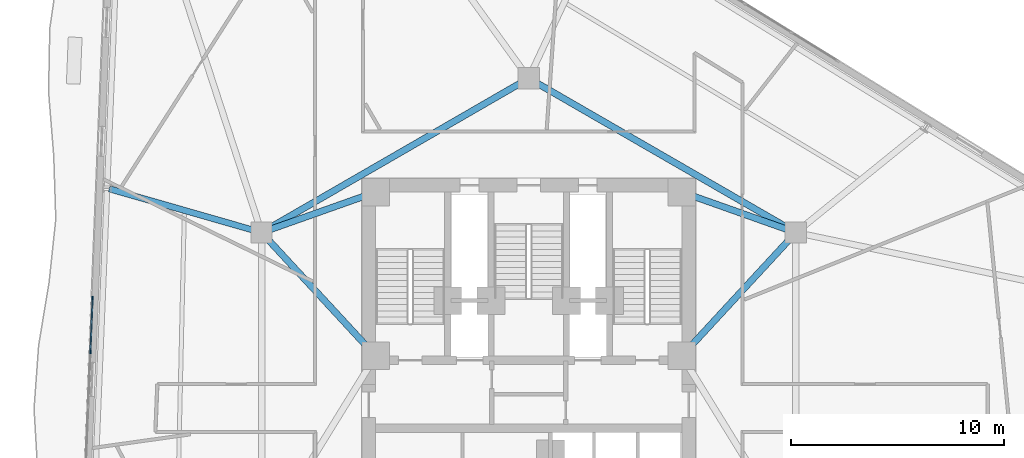
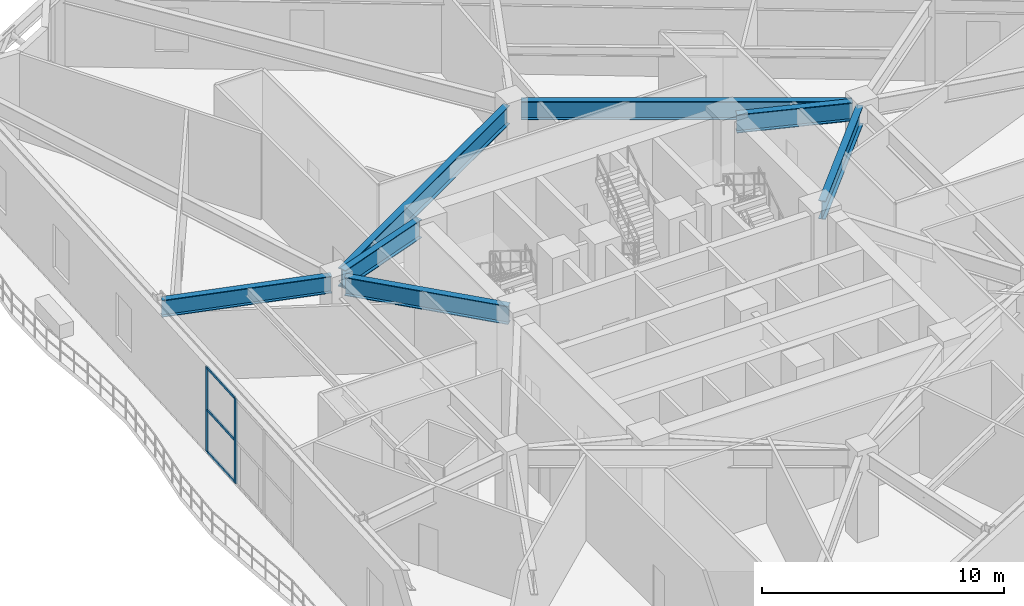
# One storey, part 8 of 22: 7 beams, 5 members, 1 element without a shape of its own.
"""IFC4 building model written with IfcOpenShell, lengths in metres."""

from ifc_helpers import new_model, si_unit, direction, frame, origin, origin_2d, place, context, subcontext, project, spatial, rectangle, i_section, extrude, material, layer, layer_set, material_profile, profile_set, type_object, element, aggregate, save


model = new_model("IFC4")

# Units and contexts
model_context = context("Model", 3, precision=1e-05, world=origin(), true_north=direction((0.0, 1.0)))
body_context = subcontext(model_context, "Body", "Model", "MODEL_VIEW")
ifc_project = project(units=[si_unit("LENGTHUNIT", "METRE"), si_unit("AREAUNIT", "SQUARE_METRE"), si_unit("VOLUMEUNIT", "CUBIC_METRE"), si_unit("PLANEANGLEUNIT", "RADIAN"), si_unit("MASSUNIT", "GRAM", prefix="KILO")], contexts=[model_context])

# Site, building, storey
site_placement = place(None, origin())
site = spatial("IfcSite", under=ifc_project, at=site_placement, CompositionType="ELEMENT")
building_placement = place(site_placement, origin())
building = spatial("IfcBuilding", under=site, at=building_placement, Name="Apsidion Concourse Tower", CompositionType="ELEMENT")
storey_placement = place(building_placement, frame((0.0, 0.0, 160.89990234375)))
storey = spatial("IfcBuildingStorey", under=building, at=storey_placement, Name="L37", CompositionType="ELEMENT", Elevation=160.89990234375)

# Beams
ifc_material_1 = material(Name="Structural steel ASTM A992 Grade 50", Category="steel")
ifc_material_profile_1 = material_profile(ifc_material_1, i_section(OverallWidth=0.2919921875, OverallDepth=0.85888671875, WebThickness=0.01708984375, FlangeThickness=0.031005859375, at=origin_2d()), Name="W33X169")
ifc_profile_set_1 = profile_set([ifc_material_profile_1], Name="Structural steel ASTM A992 Grade 50")
beam_type_1 = type_object("IfcBeamType", Name="BM-G-W33", PredefinedType="USERDEFINED", material=ifc_profile_set_1)
beam_1_placement = place(storey_placement, frame((-12.771484375, 7.310791015625, 3.920654296875), z_axis=(-0.961194838859, 0.275870407531, 0.0), x_axis=(-0.275870407531, -0.961194838859, 0.0)))
element("IfcBeam", 1, at=beam_1_placement, inside=storey, type_object=beam_type_1, Name="L37 Radial Floor Girder RAD-02", ObjectType="GIRDER", PredefinedType="USERDEFINED", context=body_context, shape_type="SweptSolid", body=[
    extrude(i_section(OverallWidth=0.2919921875, OverallDepth=0.85888671875, WebThickness=0.01708984375, FlangeThickness=0.031005859375, at=origin_2d()), origin(), (0.0, 0.0, 1.0), 7.2373046875),
])
ifc_material_profile_2 = material_profile(ifc_material_1, i_section(OverallWidth=0.31005859375, OverallDepth=0.931884765625, WebThickness=0.02099609375, FlangeThickness=0.034423828125, at=origin_2d()), Name="W36X210")
ifc_profile_set_2 = profile_set([ifc_material_profile_2], Name="Structural steel ASTM A992 Grade 50")
beam_type_2 = type_object("IfcBeamType", Name="BM-G-W36", PredefinedType="USERDEFINED", material=ifc_profile_set_2)
beam_2_placement = place(storey_placement, frame((12.28857421875, 6.956298828125, 3.884033203125), z_axis=(-0.678712876106, -0.73440372535, 0.0), x_axis=(0.73440372535, -0.678712876106, 0.0)))
element("IfcBeam", 2, at=beam_2_placement, inside=storey, type_object=beam_type_2, Name="L37 Core Coupling Girder IC3-SC3", ObjectType="GIRDER", PredefinedType="USERDEFINED", context=body_context, shape_type="SweptSolid", body=[
    extrude(i_section(OverallWidth=0.31005859375, OverallDepth=0.931884765625, WebThickness=0.02099609375, FlangeThickness=0.034423828125, at=origin_2d()), origin(), (0.0, 0.0, 1.0), 7.097412109375),
])
beam_3_placement = place(storey_placement, frame((12.18310546875, 7.383544921875, 3.884033203125), z_axis=(-0.942533844539, 0.334110688094, 0.0), x_axis=(-0.334110688094, -0.942533844539, 0.0)))
element("IfcBeam", 3, at=beam_3_placement, inside=storey, type_object=beam_type_2, Name="L37 Core Coupling Girder IC3-SC4", ObjectType="GIRDER", PredefinedType="USERDEFINED", context=body_context, shape_type="SweptSolid", body=[
    extrude(i_section(OverallWidth=0.31005859375, OverallDepth=0.931884765625, WebThickness=0.02099609375, FlangeThickness=0.034423828125, at=origin_2d()), origin(), (0.0, 0.0, 1.0), 4.886962890625),
])
beam_4_placement = place(storey_placement, frame((-12.28857421875, 6.956298828125, 3.884033203125), z_axis=(0.678712876106, -0.73440372535, 0.0), x_axis=(0.73440372535, 0.678712876106, 0.0)))
element("IfcBeam", 4, at=beam_4_placement, inside=storey, type_object=beam_type_2, Name="L37 Core Coupling Girder IC5-SC6", ObjectType="GIRDER", PredefinedType="USERDEFINED", context=body_context, shape_type="SweptSolid", body=[
    extrude(i_section(OverallWidth=0.31005859375, OverallDepth=0.931884765625, WebThickness=0.02099609375, FlangeThickness=0.034423828125, at=origin_2d()), origin(), (0.0, 0.0, 1.0), 7.097412109375),
])
beam_5_placement = place(storey_placement, frame((-12.18310546875, 7.383544921875, 3.884033203125), z_axis=(0.942533844539, 0.334110688094, 0.0), x_axis=(-0.334110688094, 0.942533844539, 0.0)))
element("IfcBeam", 5, at=beam_5_placement, inside=storey, type_object=beam_type_2, Name="L37 Core Coupling Girder IC5-SC5", ObjectType="GIRDER", PredefinedType="USERDEFINED", context=body_context, shape_type="SweptSolid", body=[
    extrude(i_section(OverallWidth=0.31005859375, OverallDepth=0.931884765625, WebThickness=0.02099609375, FlangeThickness=0.034423828125, at=origin_2d()), origin(), (0.0, 0.0, 1.0), 4.886962890625),
])
for number, where, z_axis, x_axis, name in (
    (6, (-12.213623046875, 7.449951171875, 3.884033203125), (0.866070471464, 0.499921932364, 0.0), (-0.499921932364, 0.866070471464, 0.0), "L37 Core Coupling Girder IC5-IC4"),
    (7, (0.346435546875, 14.300048828125, 3.884033203125), (0.866070471464, -0.499921932364, 0.0), (0.499921932364, 0.866070471464, 0.0), "L37 Core Coupling Girder IC4-IC3"),
):
    element("IfcBeam", number, at=place(storey_placement, frame(where, z_axis=z_axis, x_axis=x_axis)), inside=storey, type_object=beam_type_2, Name=name, ObjectType="GIRDER", PredefinedType="USERDEFINED", context=body_context, shape_type="SweptSolid", body=[
        extrude(i_section(OverallWidth=0.31005859375, OverallDepth=0.931884765625, WebThickness=0.02099609375, FlangeThickness=0.034423828125, at=origin_2d()), origin(), (0.0, 0.0, 1.0), 13.702392578125),
    ])

# Curtain wall, members
ifc_material_2 = material(Name="Insulated laminated low-E glass", Category="glass")
ifc_layer = layer(ifc_material_2, 0.2099609375)
ifc_layer_set = layer_set([ifc_layer], Name="Insulated laminated low-E glass")
curtain_wall_type = type_object("IfcCurtainWallType", Name="CW-SYS-03", PredefinedType="NOTDEFINED", material=ifc_layer_set)
curtain_wall_placement = place(storey_placement, origin())
curtain_wall = element("IfcCurtainWall", 8, at=curtain_wall_placement, inside=storey, type_object=curtain_wall_type, Name="L37 Sky Lobby Curtain Wall 9", PredefinedType="NOTDEFINED")
ifc_material_3 = material(Name="Anodised aluminium EN AW-6063 T6", Category="aluminium")
ifc_material_profile_3 = material_profile(ifc_material_3, rectangle(XDim=0.06494140625, YDim=0.179931640625, at=origin_2d()), Name="ALU MULLION 65x180")
ifc_profile_set_3 = profile_set([ifc_material_profile_3], Name="Anodised aluminium EN AW-6063 T6")
member_type_1 = type_object("IfcMemberType", Name="CWM-65X180", PredefinedType="MULLION", material=ifc_profile_set_3)
member_1_placement = place(storey_placement, frame((-20.6103515625, 1.6376953125, 0.0), z_axis=(0.0, 0.0, 1.0), x_axis=(-0.999166748402, 0.0408143221, 0.0)))
member_1 = element("IfcMember", 9, at=member_1_placement, type_object=member_type_1, Name="CW-03 mullion 3", PredefinedType="MULLION", context=body_context, shape_type="SweptSolid", body=[
    extrude(rectangle(XDim=0.06494140625, YDim=0.179931640625, at=origin_2d()), origin(), (0.0, 0.0, 1.0), 4.300048828125),
])
member_2_placement = place(storey_placement, frame((-20.506591796875, 4.1748046875, 0.0), z_axis=(0.0, 0.0, 1.0), x_axis=(-0.999166748402, 0.0408143221, 0.0)))
member_2 = element("IfcMember", 10, at=member_2_placement, type_object=member_type_1, Name="CW-03 mullion 4", PredefinedType="MULLION", context=body_context, shape_type="SweptSolid", body=[
    extrude(rectangle(XDim=0.06494140625, YDim=0.179931640625, at=origin_2d()), origin(), (0.0, 0.0, 1.0), 4.300048828125),
])
ifc_material_profile_4 = material_profile(ifc_material_3, rectangle(XDim=0.06494140625, YDim=0.139892578125, at=origin_2d()), Name="ALU TRANSOM 65x140")
ifc_profile_set_4 = profile_set([ifc_material_profile_4], Name="Anodised aluminium EN AW-6063 T6")
member_type_2 = type_object("IfcMemberType", Name="CWT-65X140", PredefinedType="USERDEFINED", material=ifc_profile_set_4)
member_3_placement = place(storey_placement, frame((-20.60888671875, 1.670166015625, 0.03271484375), z_axis=(0.040752213518, 0.999169283502, 0.0), x_axis=(-0.999169283502, 0.040752213518, 0.0)))
member_3 = element("IfcMember", 11, at=member_3_placement, type_object=member_type_2, Name="CW-03 transom 3.1", ObjectType="TRANSOM", PredefinedType="USERDEFINED", context=body_context, shape_type="SweptSolid", body=[
    extrude(rectangle(XDim=0.06494140625, YDim=0.139892578125, at=origin_2d()), origin(), (0.0, 0.0, 1.0), 2.47412109375),
])
member_4_placement = place(storey_placement, frame((-20.60888671875, 1.670166015625, 2.150146484375), z_axis=(0.040752213518, 0.999169283502, 0.0), x_axis=(-0.999169283502, 0.040752213518, 0.0)))
member_4 = element("IfcMember", 12, at=member_4_placement, type_object=member_type_2, Name="CW-03 transom 3.2", ObjectType="TRANSOM", PredefinedType="USERDEFINED", context=body_context, shape_type="SweptSolid", body=[
    extrude(rectangle(XDim=0.06494140625, YDim=0.139892578125, at=origin_2d()), origin(), (0.0, 0.0, 1.0), 2.47412109375),
])
member_5_placement = place(storey_placement, frame((-20.60888671875, 1.670166015625, 4.267578125), z_axis=(0.040752213518, 0.999169283502, 0.0), x_axis=(-0.999169283502, 0.040752213518, 0.0)))
member_5 = element("IfcMember", 13, at=member_5_placement, type_object=member_type_2, Name="CW-03 transom 3.3", ObjectType="TRANSOM", PredefinedType="USERDEFINED", context=body_context, shape_type="SweptSolid", body=[
    extrude(rectangle(XDim=0.06494140625, YDim=0.139892578125, at=origin_2d()), origin(), (0.0, 0.0, 1.0), 2.47412109375),
])
aggregate(curtain_wall, [member_1, member_2, member_3, member_4, member_5])

save(model, "model.ifc")
